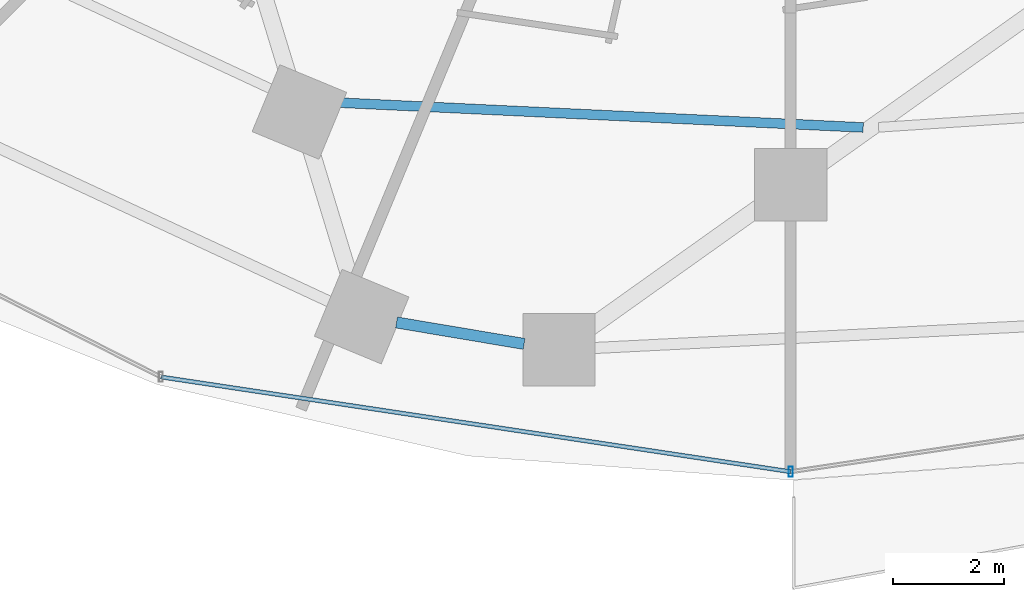
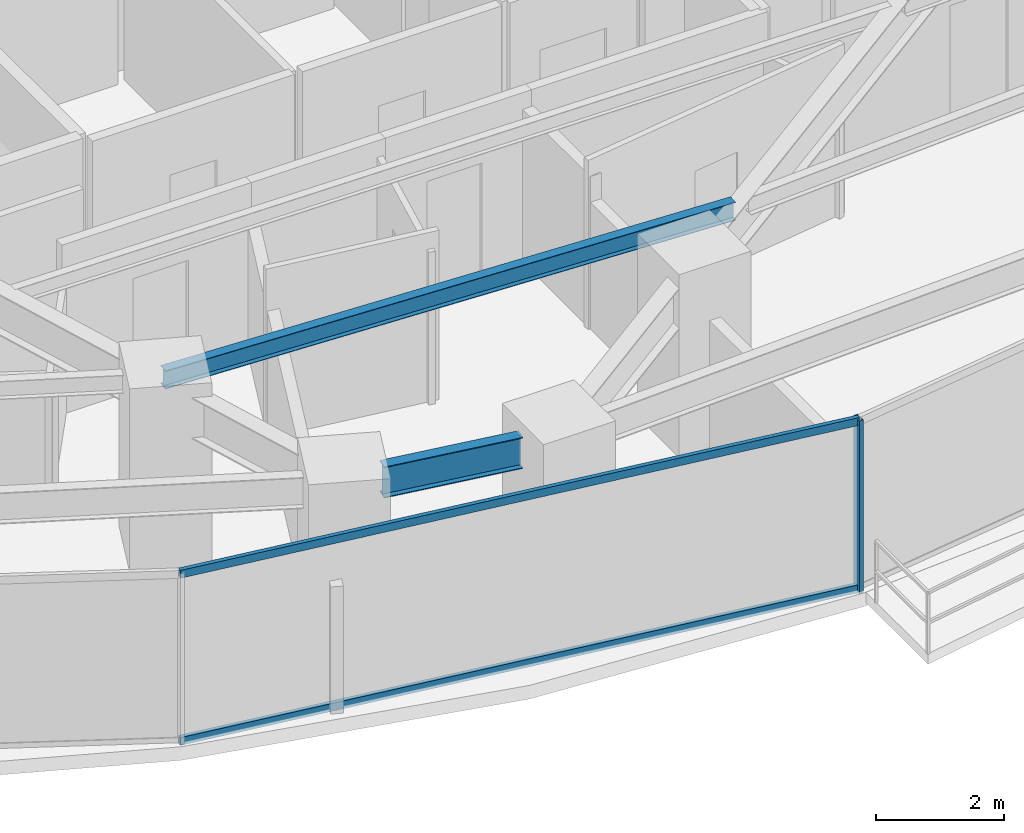
# One storey, part 6 of 34: 3 members, 2 beams, 1 element without a shape of its own.
"""IFC4 building model written with IfcOpenShell, lengths in metres."""

from ifc_helpers import new_model, si_unit, direction, frame, origin, origin_2d, place, context, subcontext, project, spatial, hollow_rectangle, i_section, extrude, material, material_profile, profile_set, type_object, element, aggregate, save


model = new_model("IFC4")

# Units and contexts
model_context = context("Model", 3, precision=1e-05, world=origin(), true_north=direction((0.0, 1.0)))
body_context = subcontext(model_context, "Body", "Model", "MODEL_VIEW")
ifc_project = project(units=[si_unit("LENGTHUNIT", "METRE"), si_unit("AREAUNIT", "SQUARE_METRE"), si_unit("VOLUMEUNIT", "CUBIC_METRE"), si_unit("PLANEANGLEUNIT", "RADIAN"), si_unit("MASSUNIT", "GRAM", prefix="KILO")], contexts=[model_context])

# Site, building, storey
site_placement = place(None, origin())
site = spatial("IfcSite", under=ifc_project, at=site_placement, CompositionType="ELEMENT")
building_placement = place(site_placement, origin())
building = spatial("IfcBuilding", under=site, at=building_placement, Name="Vorneva Point Tower", CompositionType="ELEMENT")
storey_placement = place(building_placement, frame((0.0, 0.0, 27.5)))
storey = spatial("IfcBuildingStorey", under=building, at=storey_placement, Name="L06", CompositionType="ELEMENT", Elevation=27.5)

# Beams
ifc_material_1 = material(Name="Steel S355", Category="steel")
ifc_material_profile_1 = material_profile(ifc_material_1, i_section(OverallWidth=0.174072265625, OverallDepth=0.345947265625, WebThickness=0.006103515625, FlangeThickness=0.009033203125, at=origin_2d()), Name="35B1")
ifc_profile_set_1 = profile_set([ifc_material_profile_1], Name="Steel S355")
beam_type_1 = type_object("IfcBeamType", Name="BM-SEC-35B1", PredefinedType="BEAM", material=ifc_profile_set_1)
beam_1_placement = place(storey_placement, frame((29.254638671875, 10.3076171875, 3.06689453125), z_axis=(0.998880676797, -0.047301094297, 0.0), x_axis=(0.047301094297, 0.998880676797, 0.0)))
element("IfcBeam", 1, at=beam_1_placement, inside=storey, type_object=beam_type_1, Name="L06 Secondary Floor Beam 1.12", PredefinedType="BEAM", context=body_context, shape_type="SweptSolid", body=[
    extrude(i_section(OverallWidth=0.174072265625, OverallDepth=0.345947265625, WebThickness=0.006103515625, FlangeThickness=0.009033203125, at=origin_2d()), origin(), (0.0, 0.0, 1.0), 10.0595703125),
])
ifc_material_profile_2 = material_profile(ifc_material_1, i_section(OverallWidth=0.198974609375, OverallDepth=0.595947265625, WebThickness=0.010009765625, FlangeThickness=0.014892578125, at=origin_2d()), Name="60B1")
ifc_profile_set_2 = profile_set([ifc_material_profile_2], Name="Steel S355")
beam_type_2 = type_object("IfcBeamType", Name="BM-SPN-60B1", PredefinedType="SPANDREL", material=ifc_profile_set_2)
beam_2_placement = place(storey_placement, frame((30.923095703125, 6.330078125, 2.94189453125), z_axis=(0.986171485548, -0.165728093852, 0.0), x_axis=(0.165728093852, 0.986171485548, 0.0)))
element("IfcBeam", 2, at=beam_2_placement, inside=storey, type_object=beam_type_2, Name="L06 Perimeter Spandrel Ring Beam 12", PredefinedType="SPANDREL", context=body_context, shape_type="SweptSolid", body=[
    extrude(i_section(OverallWidth=0.198974609375, OverallDepth=0.595947265625, WebThickness=0.010009765625, FlangeThickness=0.014892578125, at=origin_2d()), origin(), (0.0, 0.0, 1.0), 2.3232421875),
])

# Curtain wall, members
ifc_material_2 = material(Name="Pale anodised aluminium", Category="aluminium")
curtain_wall_type = type_object("IfcCurtainWallType", Name="CW-HTL-SYS", PredefinedType="NOTDEFINED", material=ifc_material_2)
curtain_wall_placement = place(storey_placement, origin())
curtain_wall = element("IfcCurtainWall", 3, at=curtain_wall_placement, inside=storey, type_object=curtain_wall_type, Name="L06 Unitised Curtain Wall CW-L06-R04", PredefinedType="NOTDEFINED")
ifc_material_profile_3 = material_profile(ifc_material_2, hollow_rectangle(XDim=0.074951171875, YDim=0.179931640625, WallThickness=0.00390625, at=origin_2d()), Name="AL-MUL 180x75x4")
ifc_profile_set_3 = profile_set([ifc_material_profile_3], Name="Pale anodised aluminium")
member_type_1 = type_object("IfcMemberType", Name="CW-MUL-180", PredefinedType="MULLION", material=ifc_profile_set_3)
member_1_placement = place(storey_placement, frame((38.0, 3.64990234375, -0.0400390625), z_axis=(0.0, 0.0, 1.0), x_axis=(1.0, 0.0, 0.0)))
member_1 = element("IfcMember", 4, at=member_1_placement, type_object=member_type_1, Name="CW-L06-R04 Mullion 03", PredefinedType="MULLION", context=body_context, shape_type="SweptSolid", body=[
    extrude(hollow_rectangle(XDim=0.074951171875, YDim=0.179931640625, WallThickness=0.00390625, at=origin_2d()), origin(), (0.0, 0.0, 1.0), 3.31005859375),
])
ifc_material_profile_4 = material_profile(ifc_material_2, hollow_rectangle(XDim=0.074951171875, YDim=0.14990234375, WallThickness=0.00390625, at=origin_2d()), Name="AL-TRN 150x75x4")
ifc_profile_set_4 = profile_set([ifc_material_profile_4], Name="Pale anodised aluminium")
member_type_2 = type_object("IfcMemberType", Name="CW-TRN-150", PredefinedType="USERDEFINED", material=ifc_profile_set_4)
member_2_placement = place(storey_placement, frame((26.691650390625, 5.351318359375, 0.02001953125), z_axis=(0.988870014575, -0.148782036131, 0.0), x_axis=(0.148782036131, 0.988870014575, 0.0)))
member_2 = element("IfcMember", 5, at=member_2_placement, type_object=member_type_2, Name="CW-L06-R04 Transom 02.1", ObjectType="TRANSOM", PredefinedType="USERDEFINED", context=body_context, shape_type="SweptSolid", body=[
    extrude(hollow_rectangle(XDim=0.074951171875, YDim=0.14990234375, WallThickness=0.00390625, at=origin_2d()), origin(), (0.0, 0.0, 1.0), 11.435546875),
])
member_3_placement = place(storey_placement, frame((26.691650390625, 5.351318359375, 3.219970703125), z_axis=(0.988870014575, -0.148782036131, 0.0), x_axis=(0.148782036131, 0.988870014575, 0.0)))
member_3 = element("IfcMember", 6, at=member_3_placement, type_object=member_type_2, Name="CW-L06-R04 Transom 02.2", ObjectType="TRANSOM", PredefinedType="USERDEFINED", context=body_context, shape_type="SweptSolid", body=[
    extrude(hollow_rectangle(XDim=0.074951171875, YDim=0.14990234375, WallThickness=0.00390625, at=origin_2d()), origin(), (0.0, 0.0, 1.0), 11.435546875),
])
aggregate(curtain_wall, [member_1, member_2, member_3])

save(model, "model.ifc")
